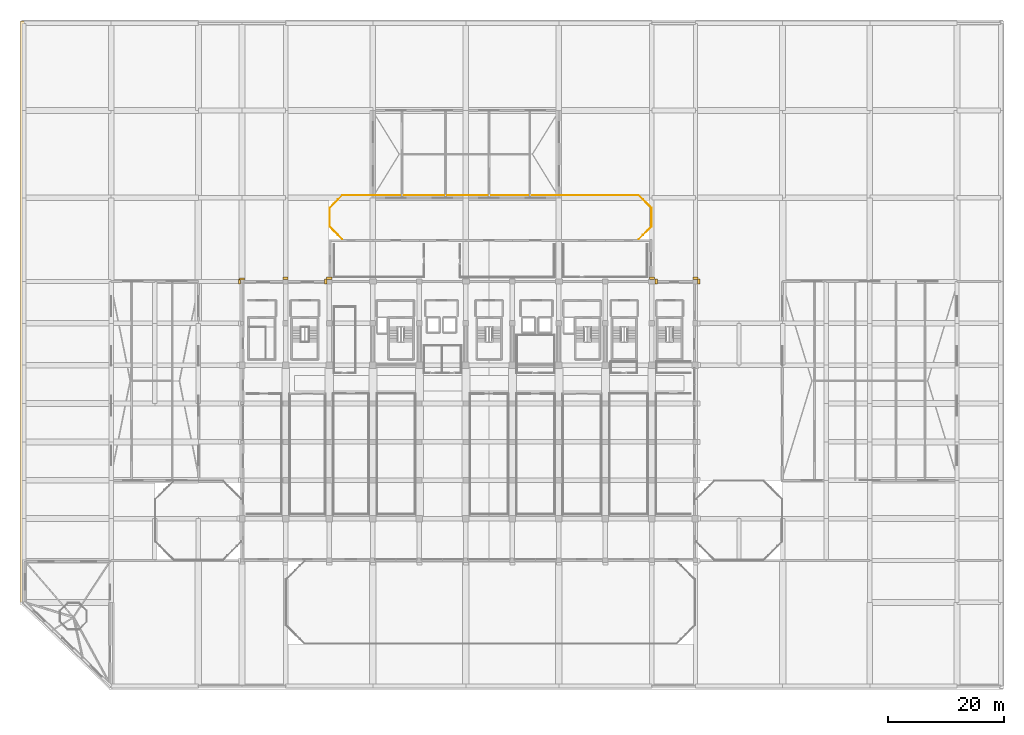
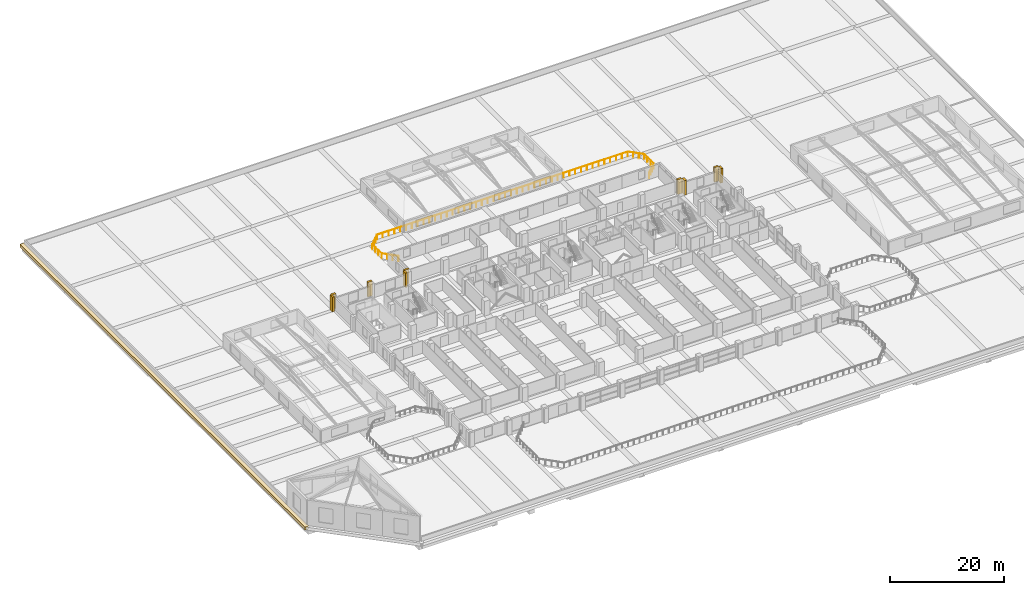
# One storey, part 48 of 49: 10 coverings, 7 railings.
"""IFC4 building model written with IfcOpenShell, lengths in metres."""

from ifc_helpers import new_model, si_unit, direction, frame, origin, origin_2d, place, context, subcontext, project, spatial, rectangle, circle, extrude, material, layer, layer_set, type_object, element, save


model = new_model("IFC4")

# Units and contexts
model_context = context("Model", 3, precision=1e-05, world=origin(), true_north=direction((0.0, 1.0)))
body_context = subcontext(model_context, "Body", "Model", "MODEL_VIEW")
ifc_project = project(units=[si_unit("LENGTHUNIT", "METRE"), si_unit("AREAUNIT", "SQUARE_METRE"), si_unit("VOLUMEUNIT", "CUBIC_METRE"), si_unit("PLANEANGLEUNIT", "RADIAN"), si_unit("MASSUNIT", "GRAM", prefix="KILO")], contexts=[model_context])

# Site, building, storey
site_placement = place(None, origin())
site = spatial("IfcSite", under=ifc_project, at=site_placement, CompositionType="ELEMENT")
building_placement = place(site_placement, origin())
building = spatial("IfcBuilding", under=site, at=building_placement, Name="Akrevak Sports Hall", CompositionType="ELEMENT")
storey_placement = place(building_placement, frame((0.0, 0.0, 24.14990234375)))
storey = spatial("IfcBuildingStorey", under=building, at=storey_placement, Name="L04", CompositionType="ELEMENT", Elevation=24.14990234375)

# Coverings
ifc_material_1 = material(Name="Limestone Ashlar", Category="stone")
ifc_layer_1 = layer(ifc_material_1, 0.6201171875, Name="Limestone Ashlar")
ifc_layer_set_1 = layer_set([ifc_layer_1], Name="Limestone Ashlar")
covering_type_1 = type_object("IfcCoveringType", Name="ARC-COV-CRN-LIM", PredefinedType="MOLDING", material=ifc_layer_set_1)
covering_placement = place(storey_placement, frame((-0.199951171875, 64.199951171875, -0.3798828125), z_axis=(0.0, 0.0, 1.0), x_axis=(0.0, -1.0, 0.0)))
element("IfcCovering", 1, at=covering_placement, inside=storey, type_object=covering_type_1, Name="Podium Classical Limestone Cornice L04-ENT-04", PredefinedType="MOLDING", context=body_context, shape_type="SweptSolid", body=[
    extrude(rectangle(XDim=100.412109375, YDim=0.760009765625, at=origin_2d()), origin(), (0.0, 0.0, 1.0), 0.6201171875),
])
ifc_layer_2 = layer(ifc_material_1, 0.47998046875, Name="Limestone Ashlar")
ifc_layer_set_2 = layer_set([ifc_layer_2], Name="Limestone Ashlar")
covering_type_2 = type_object("IfcCoveringType", Name="ARC-COV-PIL-LIM", PredefinedType="CLADDING", material=ifc_layer_set_2)
for number, where, z_axis, x_axis, name in (
    (2, (116.080078125, 69.60009765625, 0.0), (0.0, 0.0, 1.0), (0.0, 1.0, 0.0), "Giant-Order Limestone Pilaster L04-02-18"),
    (3, (108.0, 70.179931640625, 0.0), (0.0, 0.0, 1.0), (-1.0, 0.0, 0.0), "Giant-Order Limestone Pilaster L04-03-19"),
    (4, (115.5, 70.179931640625, 0.0), (0.0, 0.0, 1.0), (-1.0, 0.0, 0.0), "Giant-Order Limestone Pilaster L04-03-19"),
    (5, (108.72998046875, 69.60009765625, 0.0), (0.0, 0.0, 1.0), (0.0, 1.0, 0.0), "Giant-Order Limestone Pilaster L04-04-19"),
    (6, (51.919921875, 69.60009765625, 0.0), (0.0, 0.0, 1.0), (0.0, -1.0, 0.0), "Giant-Order Limestone Pilaster L04-06-20"),
    (7, (37.5, 70.030029296875, 0.0), (0.0, 0.0, 1.0), (-1.0, 0.0, 0.0), "Giant-Order Limestone Pilaster L04-07-21"),
    (8, (45.0, 70.179931640625, 0.0), (0.0, 0.0, 1.0), (-1.0, 0.0, 0.0), "Giant-Order Limestone Pilaster L04-07-22"),
    (9, (52.5, 70.179931640625, 0.0), (0.0, 0.0, 1.0), (-1.0, 0.0, 0.0), "Giant-Order Limestone Pilaster L04-07-22"),
    (10, (37.070068359375, 69.60009765625, 0.0), (0.0, 0.0, 1.0), (0.0, -1.0, 0.0), "Giant-Order Limestone Pilaster L04-08-28"),
):
    element("IfcCovering", number, at=place(storey_placement, frame(where, z_axis=z_axis, x_axis=x_axis)), inside=storey, type_object=covering_type_2, Name=name, PredefinedType="CLADDING", context=body_context, shape_type="SweptSolid", body=[
        extrude(rectangle(XDim=0.8798828125, YDim=0.419921875, at=origin_2d()), origin(), (0.0, 0.0, 1.0), 3.139892578125),
    ])

# Railings
ifc_material_2 = material(Name="Limestone Ashlar & Bronze Cap", Category="stone")
ifc_layer_3 = layer(ifc_material_2, 0.139892578125, Name="Limestone Ashlar & Bronze Cap")
ifc_layer_set_3 = layer_set([ifc_layer_3], Name="Limestone Ashlar & Bronze Cap")
railing_type = type_object("IfcRailingType", Name="ARC-RL-BAL-1120", PredefinedType="BALUSTRADE", material=ifc_layer_set_3)
railing_1_placement = place(storey_placement, frame((105.760009765625, 76.8798828125, 0.0)))
element("IfcRailing", 11, at=railing_1_placement, inside=storey, type_object=railing_type, Name="Terrace Perimeter Balustrade L04-4.2", PredefinedType="BALUSTRADE", context=body_context, shape_type="SweptSolid", body=[
    extrude(circle(Radius=0.02392578125, at=origin_2d()), frame((0.0, 0.0, 1.09619140625), z_axis=(0.707066819233, 0.707146740881, 0.0), x_axis=(-0.707146740881, 0.707066819233, 0.0)), (0.0, 0.0, 1.0), 3.0546875),
    extrude(circle(Radius=0.02099609375, at=origin_2d()), origin(), (0.0, 0.0, 1.0), 1.072021484375),
    extrude(circle(Radius=0.02099609375, at=origin_2d()), frame((0.719970703125, 0.719970703125, 0.0)), (0.0, 0.0, 1.0), 1.072021484375),
    extrude(circle(Radius=0.02099609375, at=origin_2d()), frame((1.43994140625, 1.440185546875, 0.0)), (0.0, 0.0, 1.0), 1.072021484375),
    extrude(circle(Radius=0.02099609375, at=origin_2d()), frame((2.159912109375, 2.16015625, 0.0)), (0.0, 0.0, 1.0), 1.072021484375),
])
railing_2_placement = place(storey_placement, frame((107.919921875, 79.0400390625, 0.0)))
element("IfcRailing", 12, at=railing_2_placement, inside=storey, type_object=railing_type, Name="Terrace Perimeter Balustrade L04-4.3", PredefinedType="BALUSTRADE", context=body_context, shape_type="SweptSolid", body=[
    extrude(circle(Radius=0.02392578125, at=origin_2d()), frame((0.0, 0.0, 1.09619140625), z_axis=(0.0, 1.0, 0.0), x_axis=(-1.0, 0.0, 0.0)), (0.0, 0.0, 1.0), 3.219970703125),
    extrude(circle(Radius=0.02099609375, at=origin_2d()), origin(), (0.0, 0.0, 1.0), 1.072021484375),
    extrude(circle(Radius=0.02099609375, at=origin_2d()), frame((0.0, 1.0732421875, 0.0)), (0.0, 0.0, 1.0), 1.072021484375),
    extrude(circle(Radius=0.02099609375, at=origin_2d()), frame((0.0, 2.146728515625, 0.0)), (0.0, 0.0, 1.0), 1.072021484375),
    extrude(circle(Radius=0.02099609375, at=origin_2d()), frame((0.0, 3.219970703125, 0.0)), (0.0, 0.0, 1.0), 1.072021484375),
])
railing_3_placement = place(storey_placement, frame((107.919921875, 82.260009765625, 0.0)))
element("IfcRailing", 13, at=railing_3_placement, inside=storey, type_object=railing_type, Name="Terrace Perimeter Balustrade L04-4.4", PredefinedType="BALUSTRADE", context=body_context, shape_type="SweptSolid", body=[
    extrude(circle(Radius=0.02392578125, at=origin_2d()), frame((0.0, 0.0, 1.09619140625), z_axis=(-0.707106781187, 0.707106781187, 0.0), x_axis=(-0.707106781187, -0.707106781187, 0.0)), (0.0, 0.0, 1.0), 3.0546875),
    extrude(circle(Radius=0.02099609375, at=origin_2d()), origin(), (0.0, 0.0, 1.0), 1.072021484375),
    extrude(circle(Radius=0.02099609375, at=origin_2d()), frame((-0.719970703125, 0.719970703125, 0.0)), (0.0, 0.0, 1.0), 1.072021484375),
    extrude(circle(Radius=0.02099609375, at=origin_2d()), frame((-1.43994140625, 1.43994140625, 0.0)), (0.0, 0.0, 1.0), 1.072021484375),
    extrude(circle(Radius=0.02099609375, at=origin_2d()), frame((-2.159912109375, 2.159912109375, 0.0)), (0.0, 0.0, 1.0), 1.072021484375),
])
railing_4_placement = place(storey_placement, frame((105.760009765625, 84.419921875, 0.0)))
element("IfcRailing", 14, at=railing_4_placement, inside=storey, type_object=railing_type, Name="Terrace Perimeter Balustrade L04-4.5", PredefinedType="BALUSTRADE", context=body_context, shape_type="SweptSolid", body=[
    extrude(circle(Radius=0.02392578125, at=origin_2d()), frame((0.0, 0.0, 1.09619140625), z_axis=(-1.0, 0.0, 0.0), x_axis=(0.0, -1.0, 0.0)), (0.0, 0.0, 1.0), 51.02001953125),
    extrude(circle(Radius=0.02099609375, at=origin_2d()), origin(), (0.0, 0.0, 1.0), 1.072021484375),
    extrude(circle(Radius=0.02099609375, at=origin_2d()), frame((-1.1865234375, 0.0, 0.0)), (0.0, 0.0, 1.0), 1.072021484375),
    extrude(circle(Radius=0.02099609375, at=origin_2d()), frame((-2.373046875, 0.0, 0.0)), (0.0, 0.0, 1.0), 1.072021484375),
    extrude(circle(Radius=0.02099609375, at=origin_2d()), frame((-3.5595703125, 0.0, 0.0)), (0.0, 0.0, 1.0), 1.072021484375),
    extrude(circle(Radius=0.02099609375, at=origin_2d()), frame((-4.74609375, 0.0, 0.0)), (0.0, 0.0, 1.0), 1.072021484375),
    extrude(circle(Radius=0.02099609375, at=origin_2d()), frame((-5.9326171875, 0.0, 0.0)), (0.0, 0.0, 1.0), 1.072021484375),
    extrude(circle(Radius=0.02099609375, at=origin_2d()), frame((-7.119140625, 0.0, 0.0)), (0.0, 0.0, 1.0), 1.072021484375),
    extrude(circle(Radius=0.02099609375, at=origin_2d()), frame((-8.3056640625, 0.0, 0.0)), (0.0, 0.0, 1.0), 1.072021484375),
    extrude(circle(Radius=0.02099609375, at=origin_2d()), frame((-9.4921875, 0.0, 0.0)), (0.0, 0.0, 1.0), 1.072021484375),
    extrude(circle(Radius=0.02099609375, at=origin_2d()), frame((-10.6787109375, 0.0, 0.0)), (0.0, 0.0, 1.0), 1.072021484375),
    extrude(circle(Radius=0.02099609375, at=origin_2d()), frame((-11.865234375, 0.0, 0.0)), (0.0, 0.0, 1.0), 1.072021484375),
    extrude(circle(Radius=0.02099609375, at=origin_2d()), frame((-13.051513671875, 0.0, 0.0)), (0.0, 0.0, 1.0), 1.072021484375),
    extrude(circle(Radius=0.02099609375, at=origin_2d()), frame((-14.238037109375, 0.0, 0.0)), (0.0, 0.0, 1.0), 1.072021484375),
    extrude(circle(Radius=0.02099609375, at=origin_2d()), frame((-15.424560546875, 0.0, 0.0)), (0.0, 0.0, 1.0), 1.072021484375),
    extrude(circle(Radius=0.02099609375, at=origin_2d()), frame((-16.611083984375, 0.0, 0.0)), (0.0, 0.0, 1.0), 1.072021484375),
    extrude(circle(Radius=0.02099609375, at=origin_2d()), frame((-17.797607421875, 0.0, 0.0)), (0.0, 0.0, 1.0), 1.072021484375),
    extrude(circle(Radius=0.02099609375, at=origin_2d()), frame((-18.984130859375, 0.0, 0.0)), (0.0, 0.0, 1.0), 1.072021484375),
    extrude(circle(Radius=0.02099609375, at=origin_2d()), frame((-20.170654296875, 0.0, 0.0)), (0.0, 0.0, 1.0), 1.072021484375),
    extrude(circle(Radius=0.02099609375, at=origin_2d()), frame((-21.357177734375, 0.0, 0.0)), (0.0, 0.0, 1.0), 1.072021484375),
    extrude(circle(Radius=0.02099609375, at=origin_2d()), frame((-22.543701171875, 0.0, 0.0)), (0.0, 0.0, 1.0), 1.072021484375),
    extrude(circle(Radius=0.02099609375, at=origin_2d()), frame((-23.730224609375, 0.0, 0.0)), (0.0, 0.0, 1.0), 1.072021484375),
    extrude(circle(Radius=0.02099609375, at=origin_2d()), frame((-24.916748046875, 0.0, 0.0)), (0.0, 0.0, 1.0), 1.072021484375),
    extrude(circle(Radius=0.02099609375, at=origin_2d()), frame((-26.103271484375, 0.0, 0.0)), (0.0, 0.0, 1.0), 1.072021484375),
    extrude(circle(Radius=0.02099609375, at=origin_2d()), frame((-27.289794921875, 0.0, 0.0)), (0.0, 0.0, 1.0), 1.072021484375),
    extrude(circle(Radius=0.02099609375, at=origin_2d()), frame((-28.476318359375, 0.0, 0.0)), (0.0, 0.0, 1.0), 1.072021484375),
    extrude(circle(Radius=0.02099609375, at=origin_2d()), frame((-29.662841796875, 0.0, 0.0)), (0.0, 0.0, 1.0), 1.072021484375),
    extrude(circle(Radius=0.02099609375, at=origin_2d()), frame((-30.849365234375, 0.0, 0.0)), (0.0, 0.0, 1.0), 1.072021484375),
    extrude(circle(Radius=0.02099609375, at=origin_2d()), frame((-32.035888671875, 0.0, 0.0)), (0.0, 0.0, 1.0), 1.072021484375),
    extrude(circle(Radius=0.02099609375, at=origin_2d()), frame((-33.222412109375, 0.0, 0.0)), (0.0, 0.0, 1.0), 1.072021484375),
    extrude(circle(Radius=0.02099609375, at=origin_2d()), frame((-34.408935546875, 0.0, 0.0)), (0.0, 0.0, 1.0), 1.072021484375),
    extrude(circle(Radius=0.02099609375, at=origin_2d()), frame((-35.595458984375, 0.0, 0.0)), (0.0, 0.0, 1.0), 1.072021484375),
    extrude(circle(Radius=0.02099609375, at=origin_2d()), frame((-36.781982421875, 0.0, 0.0)), (0.0, 0.0, 1.0), 1.072021484375),
    extrude(circle(Radius=0.02099609375, at=origin_2d()), frame((-37.968505859375, 0.0, 0.0)), (0.0, 0.0, 1.0), 1.072021484375),
    extrude(circle(Radius=0.02099609375, at=origin_2d()), frame((-39.15478515625, 0.0, 0.0)), (0.0, 0.0, 1.0), 1.072021484375),
    extrude(circle(Radius=0.02099609375, at=origin_2d()), frame((-40.34130859375, 0.0, 0.0)), (0.0, 0.0, 1.0), 1.072021484375),
    extrude(circle(Radius=0.02099609375, at=origin_2d()), frame((-41.52783203125, 0.0, 0.0)), (0.0, 0.0, 1.0), 1.072021484375),
    extrude(circle(Radius=0.02099609375, at=origin_2d()), frame((-42.71435546875, 0.0, 0.0)), (0.0, 0.0, 1.0), 1.072021484375),
    extrude(circle(Radius=0.02099609375, at=origin_2d()), frame((-43.90087890625, 0.0, 0.0)), (0.0, 0.0, 1.0), 1.072021484375),
    extrude(circle(Radius=0.02099609375, at=origin_2d()), frame((-45.08740234375, 0.0, 0.0)), (0.0, 0.0, 1.0), 1.072021484375),
    extrude(circle(Radius=0.02099609375, at=origin_2d()), frame((-46.27392578125, 0.0, 0.0)), (0.0, 0.0, 1.0), 1.072021484375),
    extrude(circle(Radius=0.02099609375, at=origin_2d()), frame((-47.46044921875, 0.0, 0.0)), (0.0, 0.0, 1.0), 1.072021484375),
    extrude(circle(Radius=0.02099609375, at=origin_2d()), frame((-48.64697265625, 0.0, 0.0)), (0.0, 0.0, 1.0), 1.072021484375),
    extrude(circle(Radius=0.02099609375, at=origin_2d()), frame((-49.83349609375, 0.0, 0.0)), (0.0, 0.0, 1.0), 1.072021484375),
    extrude(circle(Radius=0.02099609375, at=origin_2d()), frame((-51.02001953125, 0.0, 0.0)), (0.0, 0.0, 1.0), 1.072021484375),
])
railing_5_placement = place(storey_placement, frame((54.739990234375, 84.419921875, 0.0)))
element("IfcRailing", 15, at=railing_5_placement, inside=storey, type_object=railing_type, Name="Terrace Perimeter Balustrade L04-4.6", PredefinedType="BALUSTRADE", context=body_context, shape_type="SweptSolid", body=[
    extrude(circle(Radius=0.02392578125, at=origin_2d()), frame((0.0, 0.0, 1.09619140625), z_axis=(-0.707106781187, -0.707106781187, 0.0), x_axis=(0.707106781187, -0.707106781187, 0.0)), (0.0, 0.0, 1.0), 3.0546875),
    extrude(circle(Radius=0.02099609375, at=origin_2d()), origin(), (0.0, 0.0, 1.0), 1.072021484375),
    extrude(circle(Radius=0.02099609375, at=origin_2d()), frame((-0.719970703125, -0.719970703125, 0.0)), (0.0, 0.0, 1.0), 1.072021484375),
    extrude(circle(Radius=0.02099609375, at=origin_2d()), frame((-1.43994140625, -1.43994140625, 0.0)), (0.0, 0.0, 1.0), 1.072021484375),
    extrude(circle(Radius=0.02099609375, at=origin_2d()), frame((-2.159912109375, -2.159912109375, 0.0)), (0.0, 0.0, 1.0), 1.072021484375),
])
railing_6_placement = place(storey_placement, frame((52.580078125, 82.260009765625, 0.0)))
element("IfcRailing", 16, at=railing_6_placement, inside=storey, type_object=railing_type, Name="Terrace Perimeter Balustrade L04-4.7", PredefinedType="BALUSTRADE", context=body_context, shape_type="SweptSolid", body=[
    extrude(circle(Radius=0.02392578125, at=origin_2d()), frame((0.0, 0.0, 1.09619140625), z_axis=(0.0, -1.0, 0.0), x_axis=(1.0, 0.0, 0.0)), (0.0, 0.0, 1.0), 3.219970703125),
    extrude(circle(Radius=0.02099609375, at=origin_2d()), origin(), (0.0, 0.0, 1.0), 1.072021484375),
    extrude(circle(Radius=0.02099609375, at=origin_2d()), frame((0.0, -1.0732421875, 0.0)), (0.0, 0.0, 1.0), 1.072021484375),
    extrude(circle(Radius=0.02099609375, at=origin_2d()), frame((0.0, -2.146728515625, 0.0)), (0.0, 0.0, 1.0), 1.072021484375),
    extrude(circle(Radius=0.02099609375, at=origin_2d()), frame((0.0, -3.219970703125, 0.0)), (0.0, 0.0, 1.0), 1.072021484375),
])
railing_7_placement = place(storey_placement, frame((52.580078125, 79.0400390625, 0.0)))
element("IfcRailing", 17, at=railing_7_placement, inside=storey, type_object=railing_type, Name="Terrace Perimeter Balustrade L04-4.8", PredefinedType="BALUSTRADE", context=body_context, shape_type="SweptSolid", body=[
    extrude(circle(Radius=0.02392578125, at=origin_2d()), frame((0.0, 0.0, 1.09619140625), z_axis=(0.707066819233, -0.707146740881, 0.0), x_axis=(0.707146740881, 0.707066819233, 0.0)), (0.0, 0.0, 1.0), 3.0546875),
    extrude(circle(Radius=0.02099609375, at=origin_2d()), origin(), (0.0, 0.0, 1.0), 1.072021484375),
    extrude(circle(Radius=0.02099609375, at=origin_2d()), frame((0.719970703125, -0.719970703125, 0.0)), (0.0, 0.0, 1.0), 1.072021484375),
    extrude(circle(Radius=0.02099609375, at=origin_2d()), frame((1.43994140625, -1.440185546875, 0.0)), (0.0, 0.0, 1.0), 1.072021484375),
    extrude(circle(Radius=0.02099609375, at=origin_2d()), frame((2.159912109375, -2.16015625, 0.0)), (0.0, 0.0, 1.0), 1.072021484375),
])

save(model, "model.ifc")
